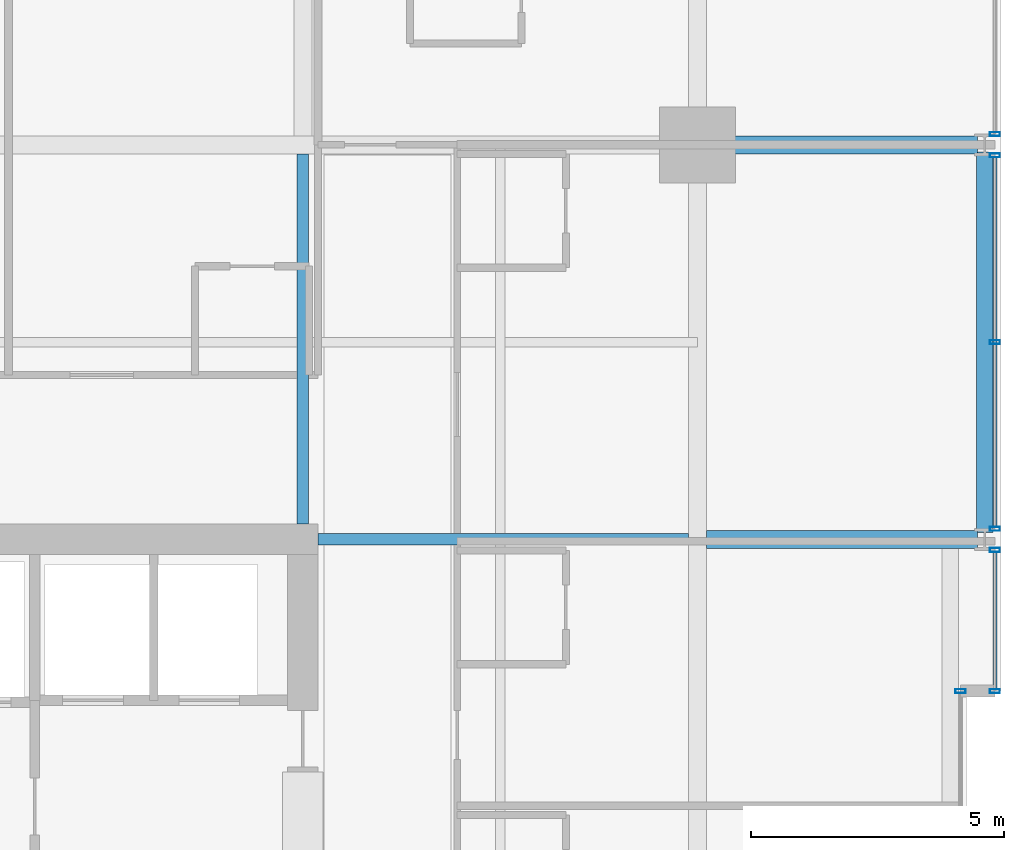
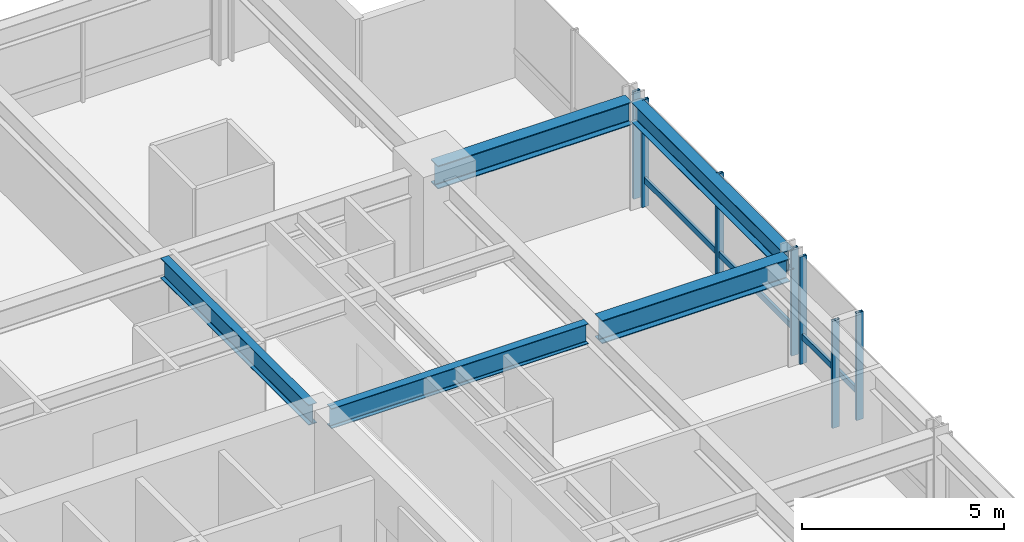
# One storey, part 23 of 34: 9 members, 5 beams, 4 elements without a shape of their own.
"""IFC4 building model written with IfcOpenShell, lengths in metres."""

from ifc_helpers import new_model, si_unit, direction, frame, origin, origin_2d, place, context, subcontext, project, spatial, hollow_rectangle, i_section, extrude, material, layer, layer_set, material_profile, profile_set, type_object, element, aggregate, save


model = new_model("IFC4")

# Units and contexts
model_context = context("Model", 3, precision=1e-05, world=origin(), true_north=direction((0.0, 1.0)))
body_context = subcontext(model_context, "Body", "Model", "MODEL_VIEW")
ifc_project = project(units=[si_unit("LENGTHUNIT", "METRE"), si_unit("AREAUNIT", "SQUARE_METRE"), si_unit("VOLUMEUNIT", "CUBIC_METRE"), si_unit("PLANEANGLEUNIT", "RADIAN"), si_unit("MASSUNIT", "GRAM", prefix="KILO")], contexts=[model_context])

# Site, building, storey
site_placement = place(None, origin())
site = spatial("IfcSite", under=ifc_project, at=site_placement, CompositionType="ELEMENT")
building_placement = place(site_placement, origin())
building = spatial("IfcBuilding", under=site, at=building_placement, Name="Drelvath Grand Hotel", CompositionType="ELEMENT")
storey_placement = place(building_placement, frame((0.0, 0.0, 126.800048828125)))
storey = spatial("IfcBuildingStorey", under=building, at=storey_placement, Name="L32", CompositionType="ELEMENT", Elevation=126.800048828125)

# Curtain wall, member
ifc_material_1 = material(Name="Champagne Bronze Anodised Aluminium Frame", Category="aluminium")
ifc_layer = layer(ifc_material_1, 0.199951171875)
ifc_layer_set = layer_set([ifc_layer], Name="Champagne Bronze Anodised Aluminium Frame")
curtain_wall_type = type_object("IfcCurtainWallType", Name="Stick Curtain Wall CW-03 Champagne Bronze Mid-Rise", PredefinedType="NOTDEFINED", material=ifc_layer_set)
curtain_wall_1_placement = place(storey_placement, origin())
curtain_wall_1 = element("IfcCurtainWall", 1, at=curtain_wall_1_placement, inside=storey, type_object=curtain_wall_type, Name="L32 CW-03 Curtain Wall CW03-L32-EN1", PredefinedType="NOTDEFINED")
ifc_material_profile_1 = material_profile(ifc_material_1, hollow_rectangle(XDim=0.074951171875, YDim=0.179931640625, WallThickness=0.0048828125, at=origin_2d()), Name="HSS180X75X5")
ifc_profile_set_1 = profile_set([ifc_material_profile_1], Name="Champagne Bronze Anodised Aluminium Frame")
member_type_1 = type_object("IfcMemberType", Name="Curtain Wall Horizontal Transom CW-03 HSS180X75X5", PredefinedType="USERDEFINED", material=ifc_profile_set_1)
member_1_placement = place(storey_placement, frame((22.080078125, 35.150634765625, 0.81005859375), z_axis=(0.0, -1.0, 0.0), x_axis=(1.0, 0.0, 0.0)))
member_1 = element("IfcMember", 2, at=member_1_placement, type_object=member_type_1, Name="CW03-L32-EN1 Sill Transom", ObjectType="TRANSOM", PredefinedType="USERDEFINED", context=body_context, shape_type="SweptSolid", body=[
    extrude(hollow_rectangle(XDim=0.074951171875, YDim=0.179931640625, WallThickness=0.0048828125, at=origin_2d()), origin(), (0.0, 0.0, 1.0), 2.710693359375),
])

curtain_wall_2_placement = place(storey_placement, origin())
curtain_wall_2 = element("IfcCurtainWall", 3, at=curtain_wall_2_placement, inside=storey, type_object=curtain_wall_type, Name="L32 CW-03 Curtain Wall CW03-L32-EN2", PredefinedType="NOTDEFINED")
member_2_placement = place(storey_placement, frame((22.080078125, 42.95068359375, 0.81005859375), z_axis=(0.0, -1.0, 0.0), x_axis=(1.0, 0.0, 0.0)))
member_2 = element("IfcMember", 4, at=member_2_placement, type_object=member_type_1, Name="CW03-L32-EN2 Sill Transom", ObjectType="TRANSOM", PredefinedType="USERDEFINED", context=body_context, shape_type="SweptSolid", body=[
    extrude(hollow_rectangle(XDim=0.074951171875, YDim=0.179931640625, WallThickness=0.0048828125, at=origin_2d()), origin(), (0.0, 0.0, 1.0), 7.30126953125),
])

# Member
ifc_material_profile_2 = material_profile(ifc_material_1, hollow_rectangle(XDim=0.080078125, YDim=0.199951171875, WallThickness=0.0048828125, at=origin_2d()), Name="HSS200X80X5")
ifc_profile_set_2 = profile_set([ifc_material_profile_2], Name="Champagne Bronze Anodised Aluminium Frame")
member_type_2 = type_object("IfcMemberType", Name="Curtain Wall Vertical Mullion CW-03 HSS200X80X5", PredefinedType="MULLION", material=ifc_profile_set_2)
member_3_placement = place(storey_placement, frame((22.080078125, 35.190673828125, 0.0), z_axis=(0.0, 0.0, 1.0), x_axis=(0.0, 1.0, 0.0)))
member_3 = element("IfcMember", 5, at=member_3_placement, type_object=member_type_2, Name="CW03-L32-EN1 Mullion 1", PredefinedType="MULLION", context=body_context, shape_type="SweptSolid", body=[
    extrude(hollow_rectangle(XDim=0.080078125, YDim=0.199951171875, WallThickness=0.0048828125, at=origin_2d()), origin(), (0.0, 0.0, 1.0), 3.239990234375),
])

member_4_placement = place(storey_placement, frame((22.080078125, 32.39990234375, 0.0), z_axis=(0.0, 0.0, 1.0), x_axis=(0.0, 1.0, 0.0)))
member_4 = element("IfcMember", 6, at=member_4_placement, type_object=member_type_2, Name="CW03-L32-EN1 Mullion 2", PredefinedType="MULLION", context=body_context, shape_type="SweptSolid", body=[
    extrude(hollow_rectangle(XDim=0.080078125, YDim=0.199951171875, WallThickness=0.0048828125, at=origin_2d()), origin(), (0.0, 0.0, 1.0), 3.239990234375),
])

aggregate(curtain_wall_1, [member_3, member_4, member_1])

member_5_placement = place(storey_placement, frame((22.080078125, 42.990478515625, 0.0), z_axis=(0.0, 0.0, 1.0), x_axis=(0.0, 1.0, 0.0)))
member_5 = element("IfcMember", 7, at=member_5_placement, type_object=member_type_2, Name="CW03-L32-EN2 Mullion 1", PredefinedType="MULLION", context=body_context, shape_type="SweptSolid", body=[
    extrude(hollow_rectangle(XDim=0.080078125, YDim=0.199951171875, WallThickness=0.0048828125, at=origin_2d()), origin(), (0.0, 0.0, 1.0), 3.239990234375),
])

member_6_placement = place(storey_placement, frame((22.080078125, 39.300048828125, 0.0), z_axis=(0.0, 0.0, 1.0), x_axis=(0.0, 1.0, 0.0)))
member_6 = element("IfcMember", 8, at=member_6_placement, type_object=member_type_2, Name="CW03-L32-EN2 Mullion 2", PredefinedType="MULLION", context=body_context, shape_type="SweptSolid", body=[
    extrude(hollow_rectangle(XDim=0.080078125, YDim=0.199951171875, WallThickness=0.0048828125, at=origin_2d()), origin(), (0.0, 0.0, 1.0), 3.239990234375),
])

member_7_placement = place(storey_placement, frame((22.080078125, 35.609375, 0.0), z_axis=(0.0, 0.0, 1.0), x_axis=(0.0, 1.0, 0.0)))
member_7 = element("IfcMember", 9, at=member_7_placement, type_object=member_type_2, Name="CW03-L32-EN2 Mullion 3", PredefinedType="MULLION", context=body_context, shape_type="SweptSolid", body=[
    extrude(hollow_rectangle(XDim=0.080078125, YDim=0.199951171875, WallThickness=0.0048828125, at=origin_2d()), origin(), (0.0, 0.0, 1.0), 3.239990234375),
])

aggregate(curtain_wall_2, [member_5, member_6, member_7, member_2])

# Curtain wall, member
curtain_wall_3_placement = place(storey_placement, origin())
curtain_wall_3 = element("IfcCurtainWall", 10, at=curtain_wall_3_placement, inside=storey, type_object=curtain_wall_type, Name="L32 CW-03 Curtain Wall CW03-L32-EN3", PredefinedType="NOTDEFINED")
member_8_placement = place(storey_placement, frame((22.080078125, 43.409423828125, 0.0), z_axis=(0.0, 0.0, 1.0), x_axis=(0.0, 1.0, 0.0)))
member_8 = element("IfcMember", 11, at=member_8_placement, type_object=member_type_2, Name="CW03-L32-EN3 Mullion 3", PredefinedType="MULLION", context=body_context, shape_type="SweptSolid", body=[
    extrude(hollow_rectangle(XDim=0.080078125, YDim=0.199951171875, WallThickness=0.0048828125, at=origin_2d()), origin(), (0.0, 0.0, 1.0), 3.239990234375),
])
aggregate(curtain_wall_3, [member_8])

curtain_wall_4_placement = place(storey_placement, origin())
curtain_wall_4 = element("IfcCurtainWall", 12, at=curtain_wall_4_placement, inside=storey, type_object=curtain_wall_type, Name="L32 CW-03 Curtain Wall CW03-L32-EM2", PredefinedType="NOTDEFINED")
member_9_placement = place(storey_placement, frame((21.39990234375, 32.39990234375, 0.0), z_axis=(0.0, 0.0, 1.0), x_axis=(0.0, 1.0, 0.0)))
member_9 = element("IfcMember", 13, at=member_9_placement, type_object=member_type_2, Name="CW03-L32-EM2 Mullion 1", PredefinedType="MULLION", context=body_context, shape_type="SweptSolid", body=[
    extrude(hollow_rectangle(XDim=0.080078125, YDim=0.199951171875, WallThickness=0.0048828125, at=origin_2d()), origin(), (0.0, 0.0, 1.0), 3.239990234375),
])
aggregate(curtain_wall_4, [member_9])

# Beams
ifc_material_2 = material(Name="Steel ASTM A992 Gr 50", Category="steel")
ifc_material_profile_3 = material_profile(ifc_material_2, i_section(OverallWidth=0.323974609375, OverallDepth=0.611083984375, WebThickness=0.0126953125, FlangeThickness=0.01904296875, FilletRadius=0.02197265625, at=origin_2d()), Name="W24X104")
ifc_profile_set_3 = profile_set([ifc_material_profile_3], Name="Steel ASTM A992 Gr 50")
beam_type_1 = type_object("IfcBeamType", Name="Perimeter Spandrel Beam W24X104", PredefinedType="SPANDREL", material=ifc_profile_set_3)
beam_1_placement = place(storey_placement, frame((21.8798828125, 35.5400390625, 2.934326171875), z_axis=(0.0, 1.0, 0.0), x_axis=(-1.0, 0.0, 0.0)))
element("IfcBeam", 14, at=beam_1_placement, inside=storey, type_object=beam_type_1, Name="L32 Spandrel East N", PredefinedType="SPANDREL", context=body_context, shape_type="SweptSolid", body=[
    extrude(i_section(OverallWidth=0.323974609375, OverallDepth=0.611083984375, WebThickness=0.0126953125, FlangeThickness=0.01904296875, FilletRadius=0.02197265625, at=origin_2d()), origin(), (0.0, 0.0, 1.0), 7.52001953125),
])
ifc_material_profile_4 = material_profile(ifc_material_2, i_section(OverallWidth=0.228271484375, OverallDepth=0.607666015625, WebThickness=0.01123046875, FlangeThickness=0.017333984375, FilletRadius=0.02001953125, at=origin_2d()), Name="W24X76")
ifc_profile_set_4 = profile_set([ifc_material_profile_4], Name="Steel ASTM A992 Gr 50")
beam_type_2 = type_object("IfcBeamType", Name="Primary Floor Girder W24X76", PredefinedType="BEAM", material=ifc_profile_set_4)
for number, where, z_axis, x_axis, name in (
    (15, (8.699951171875, 35.39990234375, 2.93603515625), (1.0, 0.0, 0.0), (0.0, 1.0, 0.0), "L32 East Core Tie F"),
    (16, (8.39990234375, 35.699951171875, 2.93603515625), (0.0, 1.0, 0.0), (-1.0, 0.0, 0.0), "L32 North Core Tie 6"),
):
    element("IfcBeam", number, at=place(storey_placement, frame(where, z_axis=z_axis, x_axis=x_axis)), inside=storey, type_object=beam_type_2, Name=name, PredefinedType="BEAM", context=body_context, shape_type="SweptSolid", body=[
        extrude(i_section(OverallWidth=0.228271484375, OverallDepth=0.607666015625, WebThickness=0.01123046875, FlangeThickness=0.017333984375, FilletRadius=0.02001953125, at=origin_2d()), origin(), (0.0, 0.0, 1.0), 7.32275390625),
    ])
ifc_material_profile_5 = material_profile(ifc_material_2, i_section(OverallWidth=0.354736328125, OverallDepth=0.695556640625, WebThickness=0.015380859375, FlangeThickness=0.025146484375, FilletRadius=0.02392578125, at=origin_2d()), Name="W27X146")
ifc_profile_set_5 = profile_set([ifc_material_profile_5], Name="Steel ASTM A992 Gr 50")
beam_type_3 = type_object("IfcBeamType", Name="Primary Floor Girder W27X146", PredefinedType="BEAM", material=ifc_profile_set_5)
beam_2_placement = place(storey_placement, frame((16.199951171875, 43.199951171875, 2.892333984375), z_axis=(1.0, 0.0, 0.0), x_axis=(0.0, 1.0, 0.0)))
element("IfcBeam", 17, at=beam_2_placement, inside=storey, type_object=beam_type_3, Name="L32 East Grid Girder G", PredefinedType="BEAM", context=body_context, shape_type="SweptSolid", body=[
    extrude(i_section(OverallWidth=0.354736328125, OverallDepth=0.695556640625, WebThickness=0.015380859375, FlangeThickness=0.025146484375, FilletRadius=0.02392578125, at=origin_2d()), origin(), (0.0, 0.0, 1.0), 5.5400390625),
])
beam_3_placement = place(storey_placement, frame((16.37744140625, 35.39990234375, 2.892333984375), z_axis=(1.0, 0.0, 0.0), x_axis=(0.0, 1.0, 0.0)))
element("IfcBeam", 18, at=beam_3_placement, inside=storey, type_object=beam_type_3, Name="L32 East Wing Girder F", PredefinedType="BEAM", context=body_context, shape_type="SweptSolid", body=[
    extrude(i_section(OverallWidth=0.354736328125, OverallDepth=0.695556640625, WebThickness=0.015380859375, FlangeThickness=0.025146484375, FilletRadius=0.02392578125, at=origin_2d()), origin(), (0.0, 0.0, 1.0), 5.362548828125),
])

save(model, "model.ifc")
